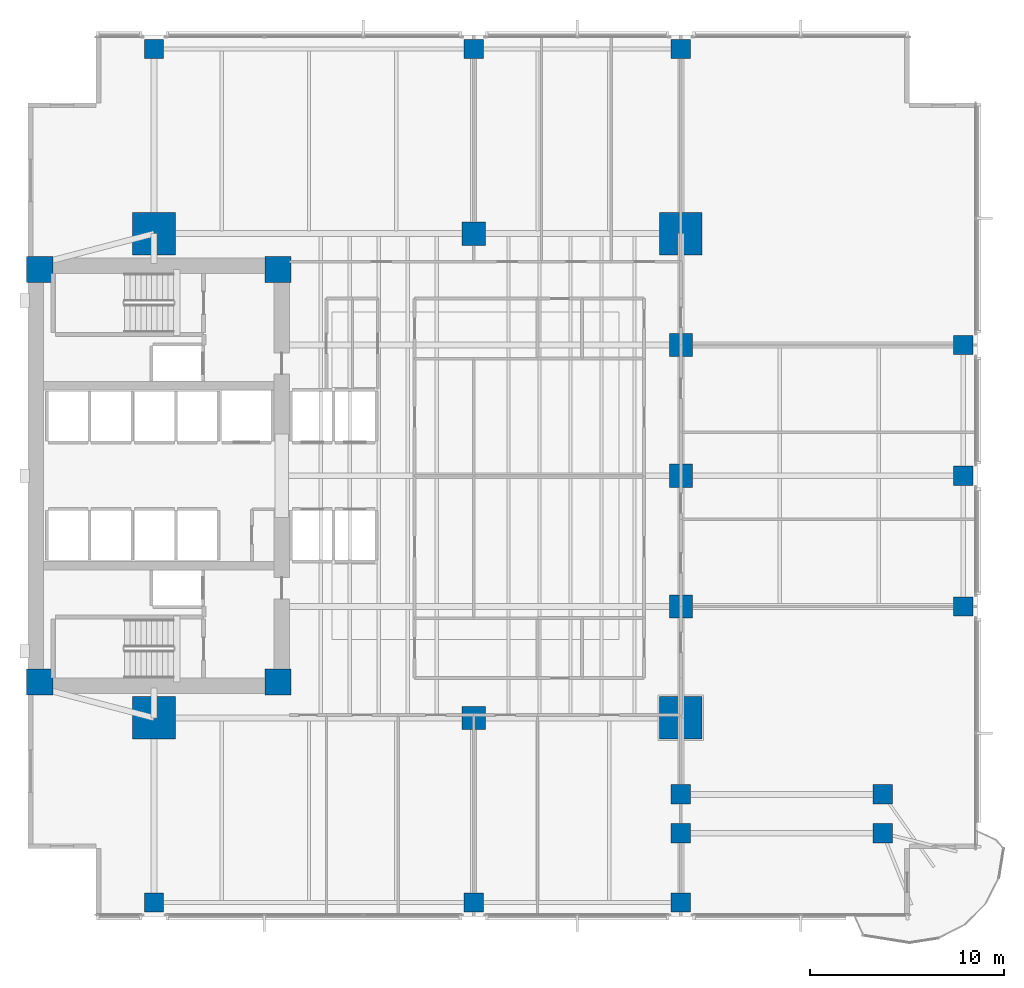
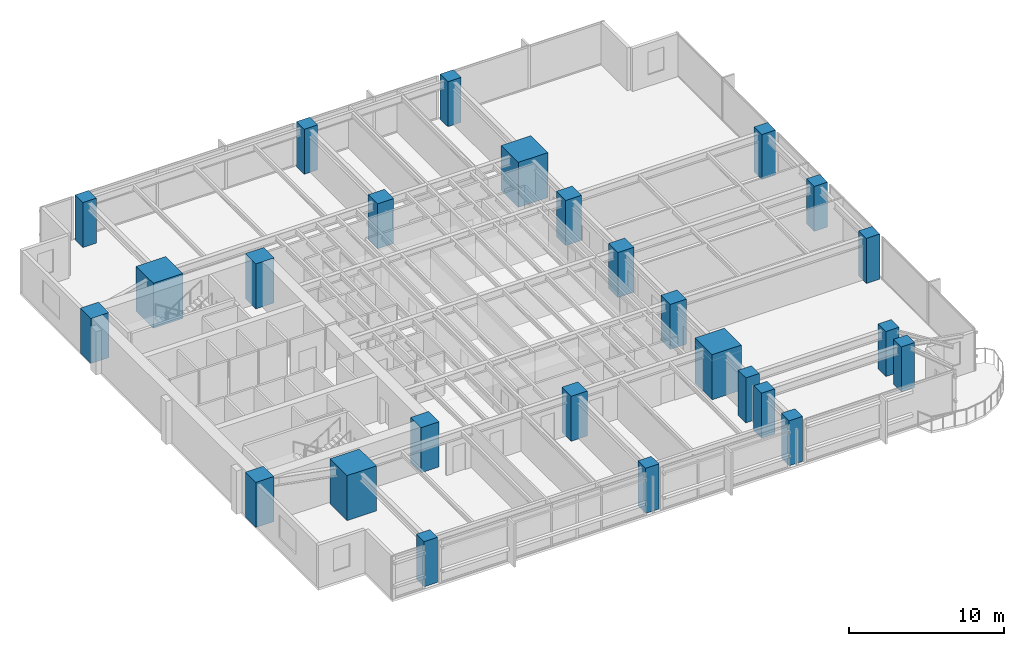
# One storey, part 1 of 15: 26 columns.
"""IFC4 building model written with IfcOpenShell, lengths in metres."""

from ifc_helpers import new_model, si_unit, direction, frame, origin, origin_2d, place, context, subcontext, project, spatial, rectangle, extrude, material, material_profile, profile_set, type_object, element, save


model = new_model("IFC4")

# Units and contexts
model_context = context("Model", 3, precision=1e-05, world=origin(), true_north=direction((0.0, 1.0)))
body_context = subcontext(model_context, "Body", "Model", "MODEL_VIEW")
ifc_project = project(units=[si_unit("LENGTHUNIT", "METRE"), si_unit("AREAUNIT", "SQUARE_METRE"), si_unit("VOLUMEUNIT", "CUBIC_METRE"), si_unit("PLANEANGLEUNIT", "RADIAN"), si_unit("MASSUNIT", "GRAM", prefix="KILO")], contexts=[model_context])

# Site, building, storey
site_placement = place(None, origin())
site = spatial("IfcSite", under=ifc_project, at=site_placement, CompositionType="ELEMENT")
building_placement = place(site_placement, origin())
building = spatial("IfcBuilding", under=site, at=building_placement, Name="Kinhvarn Gate Tower", CompositionType="ELEMENT")
storey_placement = place(building_placement, frame((0.0, 0.0, 78.85009765625)))
storey = spatial("IfcBuildingStorey", under=building, at=storey_placement, Name="L20", CompositionType="ELEMENT", Elevation=78.85009765625)

# Columns
ifc_material_1 = material(Name="Concrete C70/85", Category="concrete")
ifc_material_profile_1 = material_profile(ifc_material_1, rectangle(XDim=2.199951171875, YDim=2.199951171875, at=origin_2d()), Name="RC 2200x2200")
ifc_profile_set_1 = profile_set([ifc_material_profile_1], Name="Concrete C70/85")
column_type_1 = type_object("IfcColumnType", Name="COL-MC-2200", PredefinedType="COLUMN", material=ifc_profile_set_1)
for number, where, z_axis, x_axis, name in (
    (1, (11.0, 12.75, 0.0), (0.0, 0.0, 1.0), (1.0, 0.0, 0.0), "Column MC1-L20 (MC-22)"),
    (2, (11.0, 37.75, 0.0), (0.0, 0.0, 1.0), (1.0, 0.0, 0.0), "Column MC4-L20 (MC-22)"),
    (3, (38.199951171875, 12.75, 0.0), (0.0, 0.0, 1.0), (1.0, 0.0, 0.0), "Column MC2-L20 (MC-22)"),
    (4, (38.199951171875, 37.75, 0.0), (0.0, 0.0, 1.0), (1.0, 0.0, 0.0), "Column MC3-L20 (MC-22)"),
):
    element("IfcColumn", number, at=place(storey_placement, frame(where, z_axis=z_axis, x_axis=x_axis)), inside=storey, type_object=column_type_1, Name=name, PredefinedType="COLUMN", context=body_context, shape_type="SweptSolid", body=[
        extrude(rectangle(XDim=2.199951171875, YDim=2.199951171875, at=origin_2d()), origin(), (0.0, 0.0, 1.0), 3.5498046875),
    ])
ifc_material_2 = material(Name="Concrete C60/75", Category="concrete")
ifc_material_profile_2 = material_profile(ifc_material_2, rectangle(XDim=1.0, YDim=1.0, at=origin_2d()), Name="RC 1000x1000")
ifc_profile_set_2 = profile_set([ifc_material_profile_2], Name="Concrete C60/75")
column_type_2 = type_object("IfcColumnType", Name="COL-RC-1000", PredefinedType="COLUMN", material=ifc_profile_set_2)
for number, where, z_axis, x_axis, name in (
    (5, (48.6201171875, 6.800048828125, 0.0), (0.0, 0.0, 1.0), (1.0, 0.0, 0.0), "Column CS-SE1-L20 (C-100)"),
    (6, (38.199951171875, 6.800048828125, 0.0), (0.0, 0.0, 1.0), (1.0, 0.0, 0.0), "Column CS-ANC68-L20 (C-100)"),
    (7, (38.199951171875, 8.800048828125, 0.0), (0.0, 0.0, 1.0), (1.0, 0.0, 0.0), "Column CS-ANC88-L20 (C-100)"),
    (8, (48.6201171875, 8.800048828125, 0.0), (0.0, 0.0, 1.0), (1.0, 0.0, 0.0), "Column CS-SE1B-L20 (C-100)"),
    (9, (52.780029296875, 18.5, 0.0), (0.0, 0.0, 1.0), (1.0, 0.0, 0.0), "Column CE-1-L20 (C-100)"),
    (10, (52.780029296875, 25.25, 0.0), (0.0, 0.0, 1.0), (1.0, 0.0, 0.0), "Column CE-2-L20 (C-100)"),
    (11, (52.780029296875, 32.0, 0.0), (0.0, 0.0, 1.0), (1.0, 0.0, 0.0), "Column CE-3-L20 (C-100)"),
    (12, (11.0, 3.219970703125, 0.0), (0.0, 0.0, 1.0), (1.0, 0.0, 0.0), "Column CS-0-L20 (C-100)"),
    (13, (27.5, 3.219970703125, 0.0), (0.0, 0.0, 1.0), (1.0, 0.0, 0.0), "Column CS-1-L20 (C-100)"),
    (14, (38.199951171875, 3.219970703125, 0.0), (0.0, 0.0, 1.0), (1.0, 0.0, 0.0), "Column CS-2-L20 (C-100)"),
    (15, (11.0, 47.280029296875, 0.0), (0.0, 0.0, 1.0), (1.0, 0.0, 0.0), "Column CN-0-L20 (C-100)"),
    (16, (27.5, 47.280029296875, 0.0), (0.0, 0.0, 1.0), (1.0, 0.0, 0.0), "Column CN-1-L20 (C-100)"),
    (17, (38.199951171875, 47.280029296875, 0.0), (0.0, 0.0, 1.0), (1.0, 0.0, 0.0), "Column CN-2-L20 (C-100)"),
):
    element("IfcColumn", number, at=place(storey_placement, frame(where, z_axis=z_axis, x_axis=x_axis)), inside=storey, type_object=column_type_2, Name=name, PredefinedType="COLUMN", context=body_context, shape_type="SweptSolid", body=[
        extrude(rectangle(XDim=1.0, YDim=1.0, at=origin_2d()), origin(), (0.0, 0.0, 1.0), 3.5498046875),
    ])
ifc_material_profile_3 = material_profile(ifc_material_2, rectangle(XDim=1.199951171875, YDim=1.199951171875, at=origin_2d()), Name="RC 1200x1200")
ifc_profile_set_3 = profile_set([ifc_material_profile_3], Name="Concrete C60/75")
column_type_3 = type_object("IfcColumnType", Name="COL-RC-1200", PredefinedType="COLUMN", material=ifc_profile_set_3)
for number, where, z_axis, x_axis, name in (
    (18, (27.5, 12.75, 0.0), (0.0, 0.0, 1.0), (1.0, 0.0, 0.0), "Column SP27-S-L20 (C-120)"),
    (19, (27.5, 37.75, 0.0), (0.0, 0.0, 1.0), (1.0, 0.0, 0.0), "Column SP27-N-L20 (C-120)"),
    (20, (38.199951171875, 18.5, 0.0), (0.0, 0.0, 1.0), (1.0, 0.0, 0.0), "Column SP38-E1-L20 (C-120)"),
    (21, (38.199951171875, 25.25, 0.0), (0.0, 0.0, 1.0), (1.0, 0.0, 0.0), "Column SP38-E2-L20 (C-120)"),
    (22, (38.199951171875, 32.0, 0.0), (0.0, 0.0, 1.0), (1.0, 0.0, 0.0), "Column SP38-E3-L20 (C-120)"),
):
    element("IfcColumn", number, at=place(storey_placement, frame(where, z_axis=z_axis, x_axis=x_axis)), inside=storey, type_object=column_type_3, Name=name, PredefinedType="COLUMN", context=body_context, shape_type="SweptSolid", body=[
        extrude(rectangle(XDim=1.199951171875, YDim=1.199951171875, at=origin_2d()), origin(), (0.0, 0.0, 1.0), 3.5498046875),
    ])
ifc_material_profile_4 = material_profile(ifc_material_1, rectangle(XDim=1.35009765625, YDim=1.35009765625, at=origin_2d()), Name="RC 1350x1350")
ifc_profile_set_4 = profile_set([ifc_material_profile_4], Name="Concrete C70/85")
column_type_4 = type_object("IfcColumnType", Name="PIL-RC-1350", PredefinedType="PILASTER", material=ifc_profile_set_4)
for number, where, z_axis, x_axis, name in (
    (23, (5.10009765625, 14.60009765625, 0.0), (0.0, 0.0, 1.0), (1.0, 0.0, 0.0), "Column CC-SW-L20 (CP-135)"),
    (24, (5.10009765625, 35.89990234375, 0.0), (0.0, 0.0, 1.0), (1.0, 0.0, 0.0), "Column CC-NW-L20 (CP-135)"),
    (25, (17.39990234375, 14.60009765625, 0.0), (0.0, 0.0, 1.0), (1.0, 0.0, 0.0), "Column CC-SE-L20 (CP-135)"),
    (26, (17.39990234375, 35.89990234375, 0.0), (0.0, 0.0, 1.0), (1.0, 0.0, 0.0), "Column CC-NE-L20 (CP-135)"),
):
    element("IfcColumn", number, at=place(storey_placement, frame(where, z_axis=z_axis, x_axis=x_axis)), inside=storey, type_object=column_type_4, Name=name, PredefinedType="PILASTER", context=body_context, shape_type="SweptSolid", body=[
        extrude(rectangle(XDim=1.35009765625, YDim=1.35009765625, at=origin_2d()), origin(), (0.0, 0.0, 1.0), 3.5498046875),
    ])

save(model, "model.ifc")
